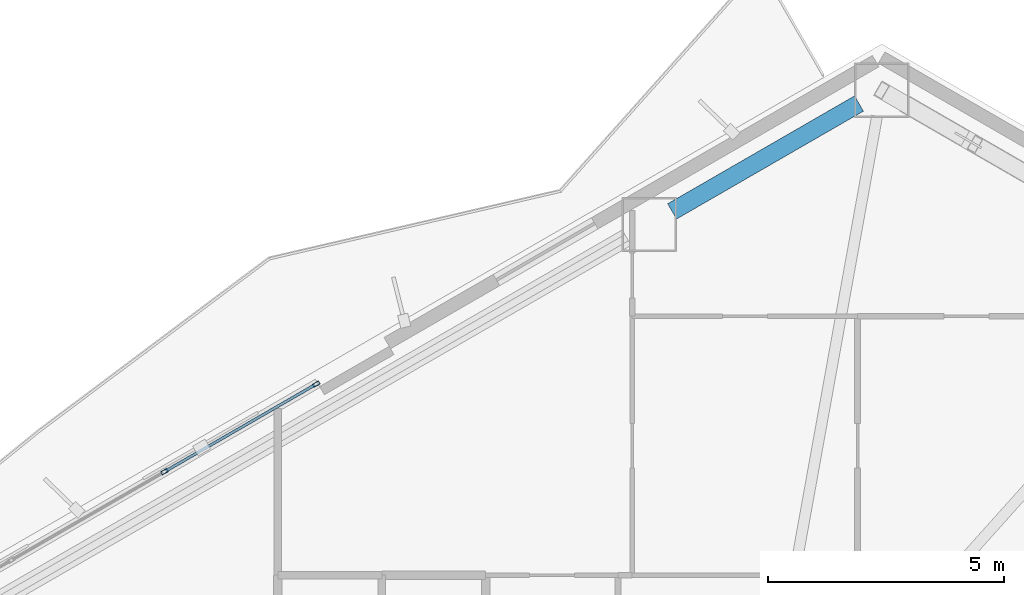
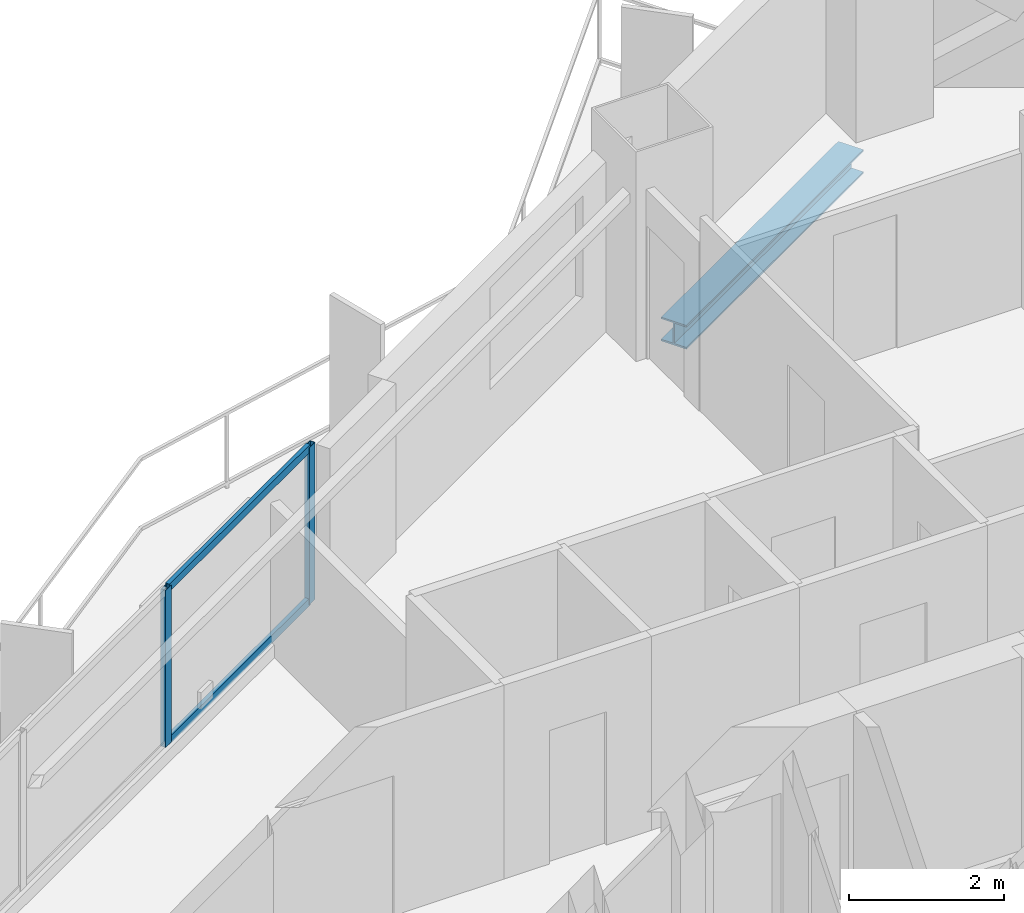
# One storey, part 13 of 22: 4 members, 1 beam, 1 element without a shape of its own.
"""IFC4 building model written with IfcOpenShell, lengths in metres."""

from ifc_helpers import new_model, si_unit, direction, frame, origin, origin_2d, place, context, subcontext, project, spatial, hollow_rectangle, i_section, extrude, material, layer, layer_set, material_profile, profile_set, type_object, element, aggregate, save


model = new_model("IFC4")

# Units and contexts
model_context = context("Model", 3, precision=1e-05, world=origin(), true_north=direction((0.0, 1.0)))
body_context = subcontext(model_context, "Body", "Model", "MODEL_VIEW")
ifc_project = project(units=[si_unit("LENGTHUNIT", "METRE"), si_unit("AREAUNIT", "SQUARE_METRE"), si_unit("VOLUMEUNIT", "CUBIC_METRE"), si_unit("PLANEANGLEUNIT", "RADIAN"), si_unit("MASSUNIT", "GRAM", prefix="KILO")], contexts=[model_context])

# Site, building, storey
site_placement = place(None, origin())
site = spatial("IfcSite", under=ifc_project, at=site_placement, CompositionType="ELEMENT")
building_placement = place(site_placement, origin())
building = spatial("IfcBuilding", under=site, at=building_placement, Name="Mersakhor Tower and Convention Hall", CompositionType="ELEMENT")
storey_placement = place(building_placement, frame((0.0, 0.0, 86.699951171875)))
storey = spatial("IfcBuildingStorey", under=building, at=storey_placement, Name="L23", CompositionType="ELEMENT", Elevation=86.699951171875)

# Beam
ifc_material_1 = material(Name="Steel S355", Category="steel")
ifc_material_profile_1 = material_profile(ifc_material_1, i_section(OverallWidth=0.374755859375, OverallDepth=0.37451171875, WebThickness=0.0166015625, FlangeThickness=0.027099609375, at=origin_2d()), Name="UC 356x368x202")
ifc_profile_set_1 = profile_set([ifc_material_profile_1], Name="Steel S355")
beam_type = type_object("IfcBeamType", Name="BM-SPD-UC356", PredefinedType="SPANDREL", material=ifc_profile_set_1)
beam_placement = place(storey_placement, frame((34.343505859375, 45.34814453125, -0.437255859375), z_axis=(0.866046694585, 0.499963121439, 0.0), x_axis=(-0.499963121439, 0.866046694585, 0.0)))
element("IfcBeam", 1, at=beam_placement, inside=storey, type_object=beam_type, Name="L23 Perimeter Spandrel Beam SPB-03", PredefinedType="SPANDREL", context=body_context, shape_type="SweptSolid", body=[
    extrude(i_section(OverallWidth=0.374755859375, OverallDepth=0.37451171875, WebThickness=0.0166015625, FlangeThickness=0.027099609375, at=origin_2d()), origin(), (0.0, 0.0, 1.0), 4.566162109375),
])

# Curtain wall, members
ifc_material_2 = material(Name="Dark solar low-E aluminium curtain wall", Category="aluminium")
ifc_layer = layer(ifc_material_2, 0.159912109375)
ifc_layer_set = layer_set([ifc_layer], Name="Dark solar low-E aluminium curtain wall")
curtain_wall_type = type_object("IfcCurtainWallType", Name="CW-SYS-01", PredefinedType="USERDEFINED", material=ifc_layer_set)
curtain_wall_placement = place(storey_placement, origin())
curtain_wall = element("IfcCurtainWall", 2, at=curtain_wall_placement, inside=storey, type_object=curtain_wall_type, Name="L23 Dark-Glass Curtain Wall F1-B2", ObjectType="CURTAIN WALL", PredefinedType="USERDEFINED")
ifc_material_3 = material(Name="Anodised aluminium EN AW-6063 T6", Category="aluminium")
ifc_material_profile_2 = material_profile(ifc_material_3, hollow_rectangle(XDim=0.074951171875, YDim=0.14990234375, WallThickness=0.00634765625, at=origin_2d()), Name="RHS 150x75x6.3")
ifc_profile_set_2 = profile_set([ifc_material_profile_2], Name="Anodised aluminium EN AW-6063 T6")
member_type_1 = type_object("IfcMemberType", Name="CWM-150x75", PredefinedType="MULLION", material=ifc_profile_set_2)
member_1_placement = place(storey_placement, frame((23.603515625, 39.840087890625, 0.199951171875), z_axis=(0.0, 0.0, 1.0), x_axis=(-0.499997904985, 0.866026613339, 0.0)))
member_1 = element("IfcMember", 3, at=member_1_placement, type_object=member_type_1, Name="CW-01 mullion 3", PredefinedType="MULLION", context=body_context, shape_type="SweptSolid", body=[
    extrude(hollow_rectangle(XDim=0.074951171875, YDim=0.14990234375, WallThickness=0.00634765625, at=origin_2d()), origin(), (0.0, 0.0, 1.0), 2.47021484375),
])
member_2_placement = place(storey_placement, frame((26.812744140625, 41.69287109375, 0.199951171875), z_axis=(0.0, 0.0, 1.0), x_axis=(-0.499997904985, 0.866026613339, 0.0)))
member_2 = element("IfcMember", 4, at=member_2_placement, type_object=member_type_1, Name="CW-01 mullion 4", PredefinedType="MULLION", context=body_context, shape_type="SweptSolid", body=[
    extrude(hollow_rectangle(XDim=0.074951171875, YDim=0.14990234375, WallThickness=0.00634765625, at=origin_2d()), origin(), (0.0, 0.0, 1.0), 2.47021484375),
])
ifc_material_4 = material(Name="Anodised aluminium EN AW-6063 T6", Category="aluminium")
ifc_material_profile_3 = material_profile(ifc_material_4, hollow_rectangle(XDim=0.06005859375, YDim=0.1201171875, WallThickness=0.0048828125, at=origin_2d()), Name="RHS 120x60x5")
ifc_profile_set_3 = profile_set([ifc_material_profile_3], Name="Anodised aluminium EN AW-6063 T6")
member_type_2 = type_object("IfcMemberType", Name="CWT-120x60", PredefinedType="USERDEFINED", material=ifc_profile_set_3)
member_3_placement = place(storey_placement, frame((23.635986328125, 39.85888671875, 0.22998046875), z_axis=(0.866016497289, 0.500015426185, 0.0), x_axis=(-0.500015426185, 0.866016497289, 0.0)))
member_3 = element("IfcMember", 5, at=member_3_placement, type_object=member_type_2, Name="CW-01 transom 3.1", ObjectType="TRANSOM", PredefinedType="USERDEFINED", context=body_context, shape_type="SweptSolid", body=[
    extrude(hollow_rectangle(XDim=0.06005859375, YDim=0.1201171875, WallThickness=0.0048828125, at=origin_2d()), origin(), (0.0, 0.0, 1.0), 3.630859375),
])
member_4_placement = place(storey_placement, frame((23.635986328125, 39.85888671875, 2.64013671875), z_axis=(0.866016497289, 0.500015426185, 0.0), x_axis=(-0.500015426185, 0.866016497289, 0.0)))
member_4 = element("IfcMember", 6, at=member_4_placement, type_object=member_type_2, Name="CW-01 transom 3.2", ObjectType="TRANSOM", PredefinedType="USERDEFINED", context=body_context, shape_type="SweptSolid", body=[
    extrude(hollow_rectangle(XDim=0.06005859375, YDim=0.1201171875, WallThickness=0.0048828125, at=origin_2d()), origin(), (0.0, 0.0, 1.0), 3.630859375),
])
aggregate(curtain_wall, [member_1, member_2, member_3, member_4])

save(model, "model.ifc")
